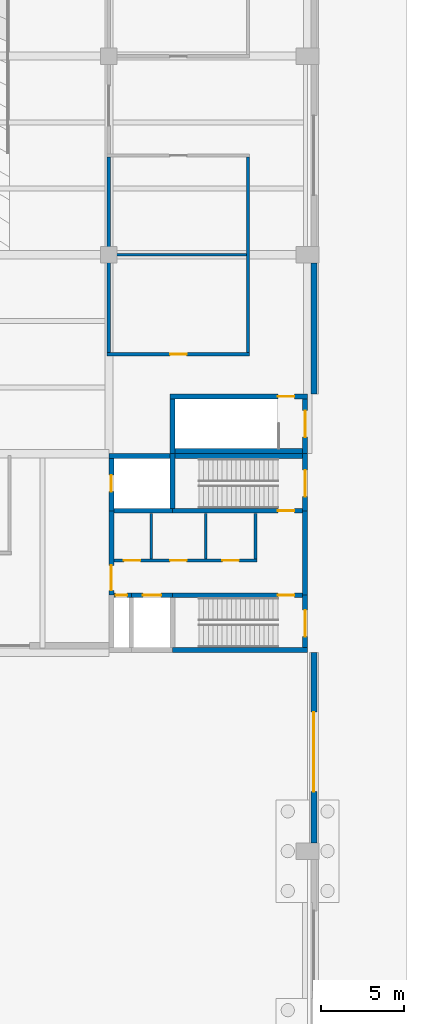
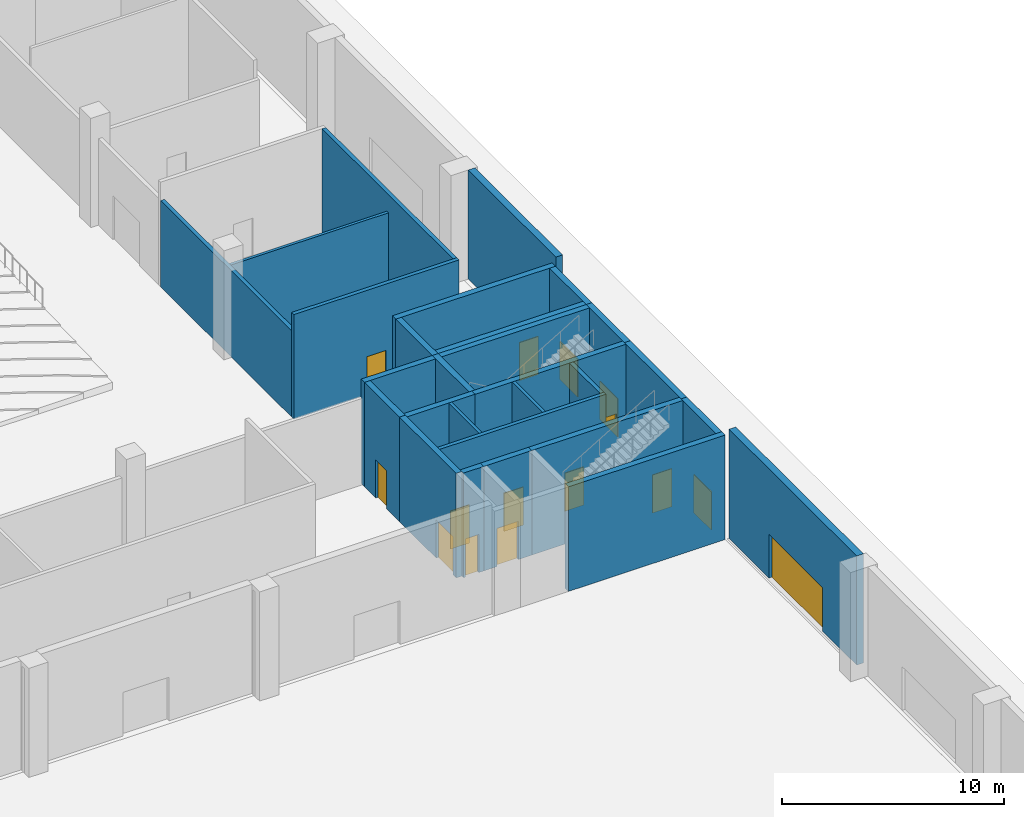
# One storey, part 39 of 59: 28 walls, 15 doors, 15 openings.
"""IFC4 building model written with IfcOpenShell, lengths in metres."""

import ifcopenshell
import ifcopenshell.guid

model = None  # the IFC model being written
_history = None  # IfcOwnerHistory: only IFC2X3 demands one
_inside = {}  # id of a spatial element -> (the spatial element, [elements in it])
_under = {}  # id of a project, library or spatial element -> (it, [spatial elements below it])
_declared = {}  # id of a project -> (the project, [libraries it declares])
_typed = {}  # id of a type object -> (the type object, [elements of that type])
_made_of = {}  # id of a material, layer set ... -> (it, [elements and type objects made of it])


def new_model(schema):
    """Start an empty IFC model of exactly this schema.

    Asked for "IFC4X3", IfcOpenShell would pick the latest addendum, in which some entities
    have other attributes; the version numbers below select the first issue.
    IFC2X3 requires an IfcOwnerHistory on every rooted entity: one is made here for all.
    """
    global model, _history
    if schema == "IFC4X3":
        model = ifcopenshell.file(schema_version=(4, 3, 0, 0))
    else:
        model = ifcopenshell.file(schema=schema)
    _inside.clear()
    _under.clear()
    _declared.clear()
    _typed.clear()
    _made_of.clear()
    _history = None
    if model.schema == "IFC2X3":
        org = make("IfcOrganization", Name="unknown")
        user = make(
            "IfcPersonAndOrganization",
            ThePerson=make("IfcPerson", FamilyName="unknown"),
            TheOrganization=org,
        )
        app = make(
            "IfcApplication",
            ApplicationDeveloper=org,
            Version="unknown",
            ApplicationFullName="unknown",
            ApplicationIdentifier="unknown",
        )
        _history = make(
            "IfcOwnerHistory",
            OwningUser=user,
            OwningApplication=app,
            ChangeAction="ADDED",
            CreationDate=0,
        )
    return model


def make(cls, **values):
    """One entity of the class cls with the attributes given. An attribute that is None is left unset."""
    return model.create_entity(
        cls, **{name: value for name, value in values.items() if value is not None}
    )


def rooted(cls, **values):
    """An entity with a GlobalId (a new one), such as an element, a storey or a relation."""
    return make(cls, GlobalId=ifcopenshell.guid.new(), OwnerHistory=_history, **values)


def si_unit(unit_type, name, prefix=None):
    """IfcSIUnit, for example si_unit("LENGTHUNIT", "METRE", prefix="MILLI")."""
    return make("IfcSIUnit", UnitType=unit_type, Prefix=prefix, Name=name)


def assignment(units):
    """IfcUnitAssignment: the units of a project."""
    return None if units is None else make("IfcUnitAssignment", Units=units)


def point(xyz):
    """IfcCartesianPoint."""
    return None if xyz is None else make("IfcCartesianPoint", Coordinates=xyz)


def direction(xyz):
    """IfcDirection."""
    return None if xyz is None else make("IfcDirection", DirectionRatios=xyz)


def frame(location, z_axis=None, x_axis=None):
    """IfcAxis2Placement3D, a coordinate frame: its origin and axes. An axis left out is left unset."""
    return make(
        "IfcAxis2Placement3D",
        Location=point(location),
        Axis=direction(z_axis),
        RefDirection=direction(x_axis),
    )


def frame_2d(location, x_axis=None):
    """IfcAxis2Placement2D, a coordinate frame in the plane: its origin and x axis."""
    return make(
        "IfcAxis2Placement2D", Location=point(location), RefDirection=direction(x_axis)
    )


def origin():
    """The frame at (0, 0, 0) with its axes left unset."""
    return frame((0.0, 0.0, 0.0))


def place(relative_to, where):
    """IfcLocalPlacement: puts the frame where relative to a parent placement (None: the world)."""
    return make(
        "IfcLocalPlacement", PlacementRelTo=relative_to, RelativePlacement=where
    )


def context(
    kind, dimensions, precision=None, world=None, true_north=None, identifier=None
):
    """IfcGeometricRepresentationContext, for example the 3D "Model" context."""
    return make(
        "IfcGeometricRepresentationContext",
        ContextIdentifier=identifier,
        ContextType=kind,
        CoordinateSpaceDimension=dimensions,
        Precision=precision,
        WorldCoordinateSystem=world,
        TrueNorth=true_north,
    )


def subcontext(parent, identifier, kind, view, scale=None):
    """IfcGeometricRepresentationSubContext, for example "Body" below "Model"."""
    return make(
        "IfcGeometricRepresentationSubContext",
        ContextIdentifier=identifier,
        ContextType=kind,
        ParentContext=parent,
        TargetScale=scale,
        TargetView=view,
    )


def project(units=None, contexts=None):
    """IfcProject with its units and contexts."""
    return rooted(
        "IfcProject",
        Name="project",
        RepresentationContexts=contexts,
        UnitsInContext=assignment(units),
    )


def spatial(cls, under=None, at=None, **own):
    """A site, building, storey or space (cls), placed at a placement, below another one or the project."""
    s = rooted(cls, ObjectPlacement=at, **own)
    if under is not None:
        _under.setdefault(under.id(), (under, []))[1].append(s)
    return s


def profile(cls, at=None, kind="AREA", **sizes):
    """A parametric profile (cls). Its sizes go by their IFC names, for example OverallWidth=200.0."""
    return make(cls, ProfileType=kind, Position=at, **sizes)


def rectangle(**sizes):
    """IfcRectangleProfileDef."""
    return profile("IfcRectangleProfileDef", **sizes)


def extrude(swept, where, along, depth):
    """IfcExtrudedAreaSolid: the profile swept, set in the frame where, extruded along a direction by depth."""
    return make(
        "IfcExtrudedAreaSolid",
        SweptArea=swept,
        Position=where,
        ExtrudedDirection=direction(along),
        Depth=depth,
    )


def shape(context_of_items, identifier, shape_type, items):
    """IfcShapeRepresentation: the items that make up one representation, for example the "Body"."""
    return make(
        "IfcShapeRepresentation",
        ContextOfItems=context_of_items,
        RepresentationIdentifier=identifier,
        RepresentationType=shape_type,
        Items=items,
    )


def material(Name=None, Category=None):
    """IfcMaterial."""
    return make("IfcMaterial", Name=Name, Category=Category)


def layer(
    of_material, thickness, ventilated=None, Name=None, Category=None, Priority=None
):
    """IfcMaterialLayer: one layer of a wall or slab, of a material (None: an air gap)."""
    return make(
        "IfcMaterialLayer",
        Material=of_material,
        LayerThickness=thickness,
        IsVentilated=ventilated,
        Name=Name,
        Category=Category,
        Priority=Priority,
    )


def layer_set(layers, Name=None):
    """IfcMaterialLayerSet."""
    return make("IfcMaterialLayerSet", MaterialLayers=layers, LayerSetName=Name)


def made_of(thing, what):
    """Note that an element or type object is made of a material, layer set ...; save() writes the relation."""
    if what is not None:
        _made_of.setdefault(what.id(), (what, []))[1].append(thing)
    return thing


def type_object(cls, material=None, **own):
    """A type object (cls), such as IfcWallType, which elements share."""
    return made_of(rooted(cls, **own), material)


def element(
    cls,
    number,
    at=None,
    inside=None,
    cuts=None,
    type_object=None,
    material=None,
    context=None,
    identifier="Body",
    shape_type=None,
    held_by="IfcProductDefinitionShape",
    body=None,
    shapes=None,
    **own,
):
    """One element of the class cls, such as IfcWall. Its Tag is "e" and its number.

    at: its placement. inside: the storey or other place that contains it. cuts: it is an
    opening in that element (IfcRelVoidsElement). A single representation is given by context,
    identifier, shape_type and body (its items); several are given by shapes. held_by: the class
    of the entity that holds the representations. save() writes the other relations.
    """
    e = rooted(cls, Tag="e%d" % number, ObjectPlacement=at, **own)
    if body is not None:
        shapes = [shape(context, identifier, shape_type, body)]
    if shapes is not None:
        e.Representation = make(held_by, Representations=shapes)
    if inside is not None:
        _inside.setdefault(inside.id(), (inside, []))[1].append(e)
    if cuts is not None:
        rooted(
            "IfcRelVoidsElement", RelatingBuildingElement=cuts, RelatedOpeningElement=e
        )
    if type_object is not None:
        _typed.setdefault(type_object.id(), (type_object, []))[1].append(e)
    return made_of(e, material)


def fill(opening, filler):
    """IfcRelFillsElement: the door or window that sits in an opening."""
    return rooted(
        "IfcRelFillsElement",
        RelatingOpeningElement=opening,
        RelatedBuildingElement=filler,
    )


def aggregate(whole, parts):
    """IfcRelAggregates: a whole, such as a stair, and the parts it consists of."""
    return rooted("IfcRelAggregates", RelatingObject=whole, RelatedObjects=parts)


def save(model, path):
    """Write the relations noted so far, then the file.

    IfcRelAggregates (storeys below a building ...), IfcRelContainedInSpatialStructure (elements
    in a storey), IfcRelDefinesByType, IfcRelAssociatesMaterial and IfcRelDeclares: one each for
    every whole, place, type object, material and project.
    """
    for whole, parts in _under.values():
        aggregate(whole, parts)
    for where, things in _inside.values():
        rooted(
            "IfcRelContainedInSpatialStructure",
            RelatedElements=things,
            RelatingStructure=where,
        )
    for kind, things in _typed.values():
        rooted("IfcRelDefinesByType", RelatedObjects=things, RelatingType=kind)
    for what, things in _made_of.values():
        rooted("IfcRelAssociatesMaterial", RelatedObjects=things, RelatingMaterial=what)
    for by, libraries in _declared.values():
        rooted("IfcRelDeclares", RelatingContext=by, RelatedDefinitions=libraries)
    model.write(path)


model = new_model("IFC4")

# Units and contexts
model_context = context("Model", 3, precision=1e-05, world=origin(), true_north=direction((0.0, 1.0)))
body_context = subcontext(model_context, "Body", "Model", "MODEL_VIEW")
ifc_project = project(units=[si_unit("LENGTHUNIT", "METRE"), si_unit("AREAUNIT", "SQUARE_METRE"), si_unit("VOLUMEUNIT", "CUBIC_METRE"), si_unit("PLANEANGLEUNIT", "RADIAN"), si_unit("MASSUNIT", "GRAM", prefix="KILO")], contexts=[model_context])

# Site, building, storey
site_placement = place(None, origin())
site = spatial("IfcSite", under=ifc_project, at=site_placement, CompositionType="ELEMENT")
building_placement = place(site_placement, origin())
building = spatial("IfcBuilding", under=site, at=building_placement, Name="Lilac Gate Convention Centre", CompositionType="ELEMENT")
storey_placement = place(building_placement, origin())
storey = spatial("IfcBuildingStorey", under=building, at=storey_placement, Name="L00", CompositionType="ELEMENT", Elevation=0.0)

# Walls
ifc_material_1 = material(Name="Fire-rated gypsum board on steel stud", Category="steel")
ifc_layer_1 = layer(ifc_material_1, 0.14990234375)
ifc_layer_set_1 = layer_set([ifc_layer_1], Name="Fire-rated gypsum board on steel stud")
wall_type_1 = type_object("IfcWallType", Name="Partition 150 fire-rated gypsum board EI 60", PredefinedType="PARTITIONING", material=ifc_layer_set_1)
wall_1_placement = place(storey_placement, frame((78.10009765625, 126.0, 0.0), z_axis=(0.0, 0.0, 1.0), x_axis=(1.0, 0.0, 0.0)))
element("IfcWall", 1, at=wall_1_placement, inside=storey, type_object=wall_type_1, Name="Partition 150 fire-rated gypsum board EI 60", PredefinedType="PARTITIONING", context=body_context, shape_type="SweptSolid", body=[
    extrude(rectangle(XDim=8.199951171875, YDim=0.14990234375, at=frame_2d((4.10009765625, 0.0))), origin(), (0.0, 0.0, 1.0), 4.75),
])
for number, where, z_axis, x_axis, name in (
    (2, (80.550048828125, 107.64990234375, 0.0), (0.0, 0.0, 1.0), (0.0, 1.0, 0.0), "Partition 150 fire-rated gypsum board EI 60"),
    (3, (83.85009765625, 107.64990234375, 0.0), (0.0, 0.0, 1.0), (0.0, 1.0, 0.0), "Partition 150 fire-rated gypsum board EI 60"),
):
    element("IfcWall", number, at=place(storey_placement, frame(where, z_axis=z_axis, x_axis=x_axis)), inside=storey, type_object=wall_type_1, Name=name, PredefinedType="PARTITIONING", context=body_context, shape_type="SweptSolid", body=[
        extrude(rectangle(XDim=2.75, YDim=0.14990234375, at=frame_2d((1.375, 0.0))), origin(), (0.0, 0.0, 1.0), 5.75),
    ])
ifc_material_2 = material(Name="Clay brick masonry", Category="masonry")
ifc_layer_2 = layer(ifc_material_2, 0.199951171875)
ifc_layer_set_2 = layer_set([ifc_layer_2], Name="Clay brick masonry")
wall_type_2 = type_object("IfcWallType", Name="Partition 200 brick EI 120", PredefinedType="PARTITIONING", material=ifc_layer_set_2)
wall_2_placement = place(storey_placement, frame((78.0, 120.10009765625, 0.0), z_axis=(0.0, 0.0, 1.0), x_axis=(0.0, 1.0, 0.0)))
element("IfcWall", 4, at=wall_2_placement, inside=storey, type_object=wall_type_2, Name="Partition 200 brick EI 120", PredefinedType="PARTITIONING", context=body_context, shape_type="SweptSolid", body=[
    extrude(rectangle(XDim=11.7998046875, YDim=0.199951171875, at=frame_2d((5.89990234375, 0.0))), origin(), (0.0, 0.0, 1.0), 4.75),
])

# Wall, openings, doors
ifc_layer_3 = layer(ifc_material_2, 0.199951171875)
ifc_layer_set_3 = layer_set([ifc_layer_3], Name="Clay brick masonry")
wall_type_3 = type_object("IfcWallType", Name="Partition 200 brick EI 60", PredefinedType="PARTITIONING", material=ifc_layer_set_3)
wall_3_placement = place(storey_placement, frame((78.300048828125, 107.550048828125, 0.0), z_axis=(0.0, 0.0, 1.0), x_axis=(1.0, 0.0, 0.0)))
wall_3 = element("IfcWall", 5, at=wall_3_placement, inside=storey, type_object=wall_type_3, Name="Partition 200 brick EI 60", PredefinedType="PARTITIONING", context=body_context, shape_type="SweptSolid", body=[
    extrude(rectangle(XDim=8.64990234375, YDim=0.199951171875, at=frame_2d((4.324951171875, 0.0))), origin(), (0.0, 0.0, 1.0), 5.75),
])
opening_1_placement = place(wall_3_placement, frame((0.60009765625, 0.0, 0.0)))
opening_1 = element("IfcOpeningElement", 6, at=opening_1_placement, cuts=wall_3, Name="Opening L00-048", PredefinedType="OPENING", context=body_context, shape_type="SweptSolid", body=[
    extrude(rectangle(XDim=1.0, YDim=2.10009765625, at=frame_2d((0.5, 1.050048828125))), frame((0.0, 0.10986328125, 0.0), z_axis=(0.0, -1.0, 0.0), x_axis=(1.0, 0.0, 0.0)), (0.0, 0.0, 1.0), 0.219970703125),
])
opening_2_placement = place(wall_3_placement, frame((3.39990234375, 0.0, 0.0)))
opening_2 = element("IfcOpeningElement", 7, at=opening_2_placement, cuts=wall_3, Name="Opening L00-049", PredefinedType="OPENING", context=body_context, shape_type="SweptSolid", body=[
    extrude(rectangle(XDim=1.0, YDim=2.10009765625, at=frame_2d((0.5, 1.050048828125))), frame((0.0, 0.10986328125, 0.0), z_axis=(0.0, -1.0, 0.0), x_axis=(1.0, 0.0, 0.0)), (0.0, 0.0, 1.0), 0.219970703125),
])
opening_3_placement = place(wall_3_placement, frame((6.550048828125, 0.0, 0.0)))
opening_3 = element("IfcOpeningElement", 8, at=opening_3_placement, cuts=wall_3, Name="Opening L00-050", PredefinedType="OPENING", context=body_context, shape_type="SweptSolid", body=[
    extrude(rectangle(XDim=1.0, YDim=2.10009765625, at=frame_2d((0.5, 1.050048828125))), frame((0.0, 0.10986328125, 0.0), z_axis=(0.0, -1.0, 0.0), x_axis=(1.0, 0.0, 0.0)), (0.0, 0.0, 1.0), 0.219970703125),
])
ifc_material_3 = material(Name="Timber fire door leaf", Category="wood")
door_type_1 = type_object("IfcDoorType", Name="Door 1000 x 2100 single leaf FD30", OperationType="SINGLE_SWING_LEFT", PredefinedType="DOOR", material=ifc_material_3)
door_1_placement = place(opening_1_placement, origin())
door_1 = element("IfcDoor", 9, at=door_1_placement, inside=storey, type_object=door_type_1, Name="Accessible WC door L00-048", OperationType="SINGLE_SWING_RIGHT", OverallHeight=2.10009765625, OverallWidth=1.0, PredefinedType="DOOR", context=body_context, shape_type="SweptSolid", body=[
    extrude(rectangle(XDim=1.0, YDim=2.10009765625, at=frame_2d((0.5, 1.050048828125))), frame((0.0, 0.02490234375, 0.0), z_axis=(0.0, -1.0, 0.0), x_axis=(1.0, 0.0, 0.0)), (0.0, 0.0, 1.0), 0.050048828125),
])
fill(opening_1, door_1)
door_2_placement = place(opening_2_placement, origin())
door_2 = element("IfcDoor", 10, at=door_2_placement, inside=storey, type_object=door_type_1, Name="WC door L00-049", OperationType="SINGLE_SWING_LEFT", OverallHeight=2.10009765625, OverallWidth=1.0, PredefinedType="DOOR", context=body_context, shape_type="SweptSolid", body=[
    extrude(rectangle(XDim=1.0, YDim=2.10009765625, at=frame_2d((0.5, 1.050048828125))), frame((0.0, 0.02490234375, 0.0), z_axis=(0.0, -1.0, 0.0), x_axis=(1.0, 0.0, 0.0)), (0.0, 0.0, 1.0), 0.050048828125),
])
fill(opening_2, door_2)
door_3_placement = place(opening_3_placement, origin())
door_3 = element("IfcDoor", 11, at=door_3_placement, inside=storey, type_object=door_type_1, Name="WC door L00-050", OperationType="SINGLE_SWING_RIGHT", OverallHeight=2.10009765625, OverallWidth=1.0, PredefinedType="DOOR", context=body_context, shape_type="SweptSolid", body=[
    extrude(rectangle(XDim=1.0, YDim=2.10009765625, at=frame_2d((0.5, 1.050048828125))), frame((0.0, 0.02490234375, 0.0), z_axis=(0.0, -1.0, 0.0), x_axis=(1.0, 0.0, 0.0)), (0.0, 0.0, 1.0), 0.050048828125),
])
fill(opening_3, door_3)

# Wall, opening, door
wall_4_placement = place(storey_placement, frame((77.89990234375, 120.0, 0.0), z_axis=(0.0, 0.0, 1.0), x_axis=(1.0, 0.0, 0.0)))
wall_4 = element("IfcWall", 12, at=wall_4_placement, inside=storey, type_object=wall_type_3, Name="Partition 200 brick EI 60", PredefinedType="PARTITIONING", context=body_context, shape_type="SweptSolid", body=[
    extrude(rectangle(XDim=8.60009765625, YDim=0.199951171875, at=frame_2d((4.300048828125, 0.0))), origin(), (0.0, 0.0, 1.0), 5.75),
])
opening_4_placement = place(wall_4_placement, frame((3.800048828125, 0.0, 0.0)))
opening_4 = element("IfcOpeningElement", 13, at=opening_4_placement, cuts=wall_4, Name="Opening L00-062", PredefinedType="OPENING", context=body_context, shape_type="SweptSolid", body=[
    extrude(rectangle(XDim=1.0, YDim=2.10009765625, at=frame_2d((0.5, 1.050048828125))), frame((0.0, 0.10986328125, 0.0), z_axis=(0.0, -1.0, 0.0), x_axis=(1.0, 0.0, 0.0)), (0.0, 0.0, 1.0), 0.219970703125),
])
door_4_placement = place(opening_4_placement, origin())
door_4 = element("IfcDoor", 14, at=door_4_placement, inside=storey, type_object=door_type_1, Name="Dressing room door L00-062", OperationType="SINGLE_SWING_LEFT", OverallHeight=2.10009765625, OverallWidth=1.0, PredefinedType="DOOR", context=body_context, shape_type="SweptSolid", body=[
    extrude(rectangle(XDim=1.0, YDim=2.10009765625, at=frame_2d((0.5, 1.050048828125))), frame((0.0, 0.02490234375, 0.0), z_axis=(0.0, -1.0, 0.0), x_axis=(1.0, 0.0, 0.0)), (0.0, 0.0, 1.0), 0.050048828125),
])
fill(opening_4, door_4)

# Walls
wall_5_placement = place(storey_placement, frame((86.39990234375, 120.10009765625, 0.0), z_axis=(0.0, 0.0, 1.0), x_axis=(0.0, 1.0, 0.0)))
element("IfcWall", 15, at=wall_5_placement, inside=storey, type_object=wall_type_3, Name="Partition 200 brick EI 60", PredefinedType="PARTITIONING", context=body_context, shape_type="SweptSolid", body=[
    extrude(rectangle(XDim=11.7998046875, YDim=0.199951171875, at=frame_2d((5.89990234375, 0.0))), origin(), (0.0, 0.0, 1.0), 5.75),
])
wall_6_placement = place(storey_placement, frame((86.85009765625, 107.64990234375, 0.0), z_axis=(0.0, 0.0, 1.0), x_axis=(0.0, 1.0, 0.0)))
element("IfcWall", 16, at=wall_6_placement, inside=storey, type_object=wall_type_3, Name="Partition 200 brick EI 60", PredefinedType="PARTITIONING", context=body_context, shape_type="SweptSolid", body=[
    extrude(rectangle(XDim=2.75, YDim=0.199951171875, at=frame_2d((1.375, 0.0))), origin(), (0.0, 0.0, 1.0), 5.75),
])

# Wall, opening, door
ifc_material_4 = material(Name="Ochre mineral render")
ifc_layer_4 = layer(ifc_material_4, 0.02001953125)
ifc_material_5 = material(Name="Concrete C40 precast", Category="concrete")
ifc_layer_5 = layer(ifc_material_5, 0.06005859375)
ifc_material_6 = material(Name="Ventilated air cavity")
ifc_layer_6 = layer(ifc_material_6, 0.030029296875)
ifc_material_7 = material(Name="Mineral wool insulation")
ifc_layer_7 = layer(ifc_material_7, 0.169921875)
ifc_material_8 = material(Name="Steel stud Q345 and gypsum lining", Category="steel")
ifc_layer_8 = layer(ifc_material_8, 0.070068359375)
ifc_layer_set_4 = layer_set([ifc_layer_4, ifc_layer_5, ifc_layer_6, ifc_layer_7, ifc_layer_8], Name="Ochre mineral render, Concrete C40 precast, Ventilated air cavity, Mineral wool insulation, Steel stud Q345 and gypsum lining")
wall_type_4 = type_object("IfcWallType", Name="Podium precast wall 350", PredefinedType="STANDARD", material=ifc_layer_set_4)
wall_7_placement = place(storey_placement, frame((90.375, 90.5, 0.0), z_axis=(0.0, 0.0, 1.0), x_axis=(0.0, 1.0, 0.0)))
wall_7 = element("IfcWall", 17, at=wall_7_placement, inside=storey, type_object=wall_type_4, Name="External wall hall east HE L00 6", PredefinedType="STANDARD", context=body_context, shape_type="SweptSolid", body=[
    extrude(rectangle(XDim=11.5, YDim=0.35009765625, at=frame_2d((5.75, 0.0))), origin(), (0.0, 0.0, 1.0), 6.0),
])
opening_5_placement = place(wall_7_placement, frame((3.10009765625, 0.0, 0.0)))
opening_5 = element("IfcOpeningElement", 18, at=opening_5_placement, cuts=wall_7, Name="Opening ED-027", PredefinedType="OPENING", context=body_context, shape_type="SweptSolid", body=[
    extrude(rectangle(XDim=4.800048828125, YDim=2.39990234375, at=frame_2d((2.39990234375, 1.199951171875))), frame((0.0, 0.18505859375, 0.0), z_axis=(0.0, -1.0, 0.0), x_axis=(1.0, 0.0, 0.0)), (0.0, 0.0, 1.0), 0.3701171875),
])
ifc_material_9 = material(Name="Steel Q235B", Category="steel")
door_type_2 = type_object("IfcDoorType", Name="Exit door set 4800 x 2400", OperationType="DOUBLE_DOOR_SINGLE_SWING", PredefinedType="DOOR", material=ifc_material_9)
door_5_placement = place(opening_5_placement, frame((4.800048828125, 0.0, 0.0), z_axis=(0.0, 0.0, 1.0), x_axis=(-1.0, 0.0, 0.0)))
door_5 = element("IfcDoor", 19, at=door_5_placement, inside=storey, type_object=door_type_2, Name="Pedestrian exit doors G16", OperationType="DOUBLE_DOOR_SINGLE_SWING", OverallHeight=2.39990234375, OverallWidth=4.800048828125, PredefinedType="DOOR", context=body_context, shape_type="SweptSolid", body=[
    extrude(rectangle(XDim=4.800048828125, YDim=2.39990234375, at=frame_2d((2.39990234375, 1.199951171875))), frame((0.0, 0.02490234375, 0.0), z_axis=(0.0, -1.0, 0.0), x_axis=(1.0, 0.0, 0.0)), (0.0, 0.0, 1.0), 0.050048828125),
])
fill(opening_5, door_5)

# Walls
wall_8_placement = place(storey_placement, frame((90.375, 117.60009765625, 0.0), z_axis=(0.0, 0.0, 1.0), x_axis=(0.0, 1.0, 0.0)))
element("IfcWall", 20, at=wall_8_placement, inside=storey, type_object=wall_type_4, Name="External wall hall east HE L00 7", PredefinedType="STANDARD", context=body_context, shape_type="SweptSolid", body=[
    extrude(rectangle(XDim=7.89990234375, YDim=0.35009765625, at=frame_2d((3.949951171875, 0.0))), origin(), (0.0, 0.0, 1.0), 6.0),
])
ifc_material_10 = material(Name="Concrete C40", Category="concrete")
ifc_layer_9 = layer(ifc_material_10, 0.300048828125)
ifc_layer_set_5 = layer_set([ifc_layer_9], Name="Concrete C40")
wall_type_5 = type_object("IfcWallType", Name="Shear wall 300 C40", PredefinedType="SHEAR", material=ifc_layer_set_5)
wall_9_placement = place(storey_placement, frame((90.0, 114.14990234375, 0.0), z_axis=(0.0, 0.0, 1.0), x_axis=(-1.0, 0.0, 0.0)))
element("IfcWall", 21, at=wall_9_placement, inside=storey, type_object=wall_type_5, Name="SW1 shear wall BE1 L00 1", PredefinedType="SHEAR", context=body_context, shape_type="SweptSolid", body=[
    extrude(rectangle(XDim=8.300048828125, YDim=0.300048828125, at=frame_2d((4.14990234375, 0.0))), origin(), (0.0, 0.0, 1.0), 5.75),
])

# Wall, opening, door
wall_10_placement = place(storey_placement, frame((90.0, 117.449951171875, 0.0), z_axis=(0.0, 0.0, 1.0), x_axis=(-1.0, 0.0, 0.0)))
wall_10 = element("IfcWall", 22, at=wall_10_placement, inside=storey, type_object=wall_type_5, Name="SW1 shear wall BE1 L00 2", PredefinedType="SHEAR", context=body_context, shape_type="SweptSolid", body=[
    extrude(rectangle(XDim=8.300048828125, YDim=0.300048828125, at=frame_2d((4.14990234375, 0.0))), origin(), (0.0, 0.0, 1.0), 5.75),
])
opening_6_placement = place(wall_10_placement, frame((0.800048828125, 0.0, 0.0)))
opening_6 = element("IfcOpeningElement", 23, at=opening_6_placement, cuts=wall_10, Name="Opening L00-059", PredefinedType="OPENING", context=body_context, shape_type="SweptSolid", body=[
    extrude(rectangle(XDim=1.0, YDim=2.10009765625, at=frame_2d((0.5, 1.050048828125))), frame((0.0, 0.159912109375, 0.0), z_axis=(0.0, -1.0, 0.0), x_axis=(1.0, 0.0, 0.0)), (0.0, 0.0, 1.0), 0.320068359375),
])
door_type_3 = type_object("IfcDoorType", Name="Door 1000 x 2100 single leaf FD60", OperationType="SINGLE_SWING_LEFT", PredefinedType="DOOR", material=ifc_material_3)
door_6_placement = place(opening_6_placement, origin())
door_6 = element("IfcDoor", 24, at=door_6_placement, inside=storey, type_object=door_type_3, Name="Stair door L00-059", OperationType="SINGLE_SWING_RIGHT", OverallHeight=2.10009765625, OverallWidth=1.0, PredefinedType="DOOR", context=body_context, shape_type="SweptSolid", body=[
    extrude(rectangle(XDim=1.0, YDim=2.10009765625, at=frame_2d((0.5, 1.050048828125))), frame((0.0, 0.02490234375, 0.0), z_axis=(0.0, -1.0, 0.0), x_axis=(1.0, 0.0, 0.0)), (0.0, 0.0, 1.0), 0.050048828125),
])
fill(opening_6, door_6)

wall_11_placement = place(storey_placement, frame((89.85009765625, 114.0, 0.0), z_axis=(0.0, 0.0, 1.0), x_axis=(0.0, 1.0, 0.0)))
wall_11 = element("IfcWall", 25, at=wall_11_placement, inside=storey, type_object=wall_type_5, Name="SW1 shear wall BE1 L00 3", PredefinedType="SHEAR", context=body_context, shape_type="SweptSolid", body=[
    extrude(rectangle(XDim=3.300048828125, YDim=0.300048828125, at=frame_2d((1.64990234375, 0.0))), origin(), (0.0, 0.0, 1.0), 5.75),
])
opening_7_placement = place(wall_11_placement, frame((1.0, 0.0, 0.0)))
opening_7 = element("IfcOpeningElement", 26, at=opening_7_placement, cuts=wall_11, Name="Opening L00-058", PredefinedType="OPENING", context=body_context, shape_type="SweptSolid", body=[
    extrude(rectangle(XDim=1.60009765625, YDim=2.10009765625, at=frame_2d((0.800048828125, 1.050048828125))), frame((0.0, 0.159912109375, 0.0), z_axis=(0.0, -1.0, 0.0), x_axis=(1.0, 0.0, 0.0)), (0.0, 0.0, 1.0), 0.320068359375),
])
door_type_4 = type_object("IfcDoorType", Name="Door 1600 x 2100 double leaf FD60", OperationType="DOUBLE_DOOR_SINGLE_SWING", PredefinedType="DOOR", material=ifc_material_3)
door_7_placement = place(opening_7_placement, frame((1.60009765625, 0.0, 0.0), z_axis=(0.0, 0.0, 1.0), x_axis=(-1.0, 0.0, 0.0)))
door_7 = element("IfcDoor", 27, at=door_7_placement, inside=storey, type_object=door_type_4, Name="Stair exit door L00-058", OperationType="DOUBLE_DOOR_SINGLE_SWING", OverallHeight=2.10009765625, OverallWidth=1.60009765625, PredefinedType="DOOR", context=body_context, shape_type="SweptSolid", body=[
    extrude(rectangle(XDim=1.60009765625, YDim=2.10009765625, at=frame_2d((0.800048828125, 1.050048828125))), frame((0.0, 0.02490234375, 0.0), z_axis=(0.0, -1.0, 0.0), x_axis=(1.0, 0.0, 0.0)), (0.0, 0.0, 1.0), 0.050048828125),
])
fill(opening_7, door_7)

# Walls
wall_12_placement = place(storey_placement, frame((81.85009765625, 114.0, 0.0), z_axis=(0.0, 0.0, 1.0), x_axis=(0.0, 1.0, 0.0)))
element("IfcWall", 28, at=wall_12_placement, inside=storey, type_object=wall_type_5, Name="SW1 shear wall BE1 L00 4", PredefinedType="SHEAR", context=body_context, shape_type="SweptSolid", body=[
    extrude(rectangle(XDim=3.300048828125, YDim=0.300048828125, at=frame_2d((1.64990234375, 0.0))), origin(), (0.0, 0.0, 1.0), 5.75),
])
for number, where, z_axis, x_axis, name in (
    (29, (90.0, 102.14990234375, 0.0), (0.0, 0.0, 1.0), (-1.0, 0.0, 0.0), "SW1 shear wall E1 L00 1"),
    (30, (90.0, 113.85009765625, 0.0), (0.0, 0.0, 1.0), (-1.0, 0.0, 0.0), "SW1 shear wall E1 L00 4"),
):
    element("IfcWall", number, at=place(storey_placement, frame(where, z_axis=z_axis, x_axis=x_axis)), inside=storey, type_object=wall_type_5, Name=name, PredefinedType="SHEAR", context=body_context, shape_type="SweptSolid", body=[
        extrude(rectangle(XDim=8.14990234375, YDim=0.300048828125, at=frame_2d((4.074951171875, 0.0))), origin(), (0.0, 0.0, 1.0), 5.75),
    ])
wall_13_placement = place(storey_placement, frame((81.85009765625, 113.85009765625, 0.0), z_axis=(0.0, 0.0, 1.0), x_axis=(-1.0, 0.0, 0.0)))
element("IfcWall", 31, at=wall_13_placement, inside=storey, type_object=wall_type_5, Name="SW1 shear wall E1 L00 5", PredefinedType="SHEAR", context=body_context, shape_type="SweptSolid", body=[
    extrude(rectangle(XDim=3.85009765625, YDim=0.300048828125, at=frame_2d((1.925048828125, 0.0))), origin(), (0.0, 0.0, 1.0), 5.75),
])

# Wall, opening, door
wall_14_placement = place(storey_placement, frame((89.699951171875, 105.449951171875, 0.0), z_axis=(0.0, 0.0, 1.0), x_axis=(-1.0, 0.0, 0.0)))
wall_14 = element("IfcWall", 32, at=wall_14_placement, inside=storey, type_object=wall_type_5, Name="SW1 shear wall E1 L00 6", PredefinedType="SHEAR", context=body_context, shape_type="SweptSolid", body=[
    extrude(rectangle(XDim=7.849853515625, YDim=0.300048828125, at=frame_2d((3.9248046875, 0.0))), origin(), (0.0, 0.0, 1.0), 5.75),
])
opening_8_placement = place(wall_14_placement, frame((0.5, 0.0, 0.0)))
opening_8 = element("IfcOpeningElement", 33, at=opening_8_placement, cuts=wall_14, Name="Opening L00-046", PredefinedType="OPENING", context=body_context, shape_type="SweptSolid", body=[
    extrude(rectangle(XDim=1.0, YDim=2.10009765625, at=frame_2d((0.5, 1.050048828125))), frame((0.0, 0.159912109375, 0.0), z_axis=(0.0, -1.0, 0.0), x_axis=(1.0, 0.0, 0.0)), (0.0, 0.0, 1.0), 0.320068359375),
])
door_8_placement = place(opening_8_placement, origin())
door_8 = element("IfcDoor", 34, at=door_8_placement, inside=storey, type_object=door_type_3, Name="Stair door L00-046", OperationType="SINGLE_SWING_RIGHT", OverallHeight=2.10009765625, OverallWidth=1.0, PredefinedType="DOOR", context=body_context, shape_type="SweptSolid", body=[
    extrude(rectangle(XDim=1.0, YDim=2.10009765625, at=frame_2d((0.5, 1.050048828125))), frame((0.0, 0.02490234375, 0.0), z_axis=(0.0, -1.0, 0.0), x_axis=(1.0, 0.0, 0.0)), (0.0, 0.0, 1.0), 0.050048828125),
])
fill(opening_8, door_8)

wall_15_placement = place(storey_placement, frame((81.85009765625, 105.449951171875, 0.0), z_axis=(0.0, 0.0, 1.0), x_axis=(-1.0, 0.0, 0.0)))
wall_15 = element("IfcWall", 35, at=wall_15_placement, inside=storey, type_object=wall_type_5, Name="SW1 shear wall E1 L00 7", PredefinedType="SHEAR", context=body_context, shape_type="SweptSolid", body=[
    extrude(rectangle(XDim=2.5, YDim=0.300048828125, at=frame_2d((1.25, 0.0))), origin(), (0.0, 0.0, 1.0), 5.75),
])
opening_9_placement = place(wall_15_placement, frame((0.699951171875, 0.0, 0.0)))
opening_9 = element("IfcOpeningElement", 36, at=opening_9_placement, cuts=wall_15, Name="Opening LDE1-00", PredefinedType="OPENING", context=body_context, shape_type="SweptSolid", body=[
    extrude(rectangle(XDim=1.10009765625, YDim=2.10009765625, at=frame_2d((0.550048828125, 1.050048828125))), frame((0.0, 0.159912109375, 0.0), z_axis=(0.0, -1.0, 0.0), x_axis=(1.0, 0.0, 0.0)), (0.0, 0.0, 1.0), 0.320068359375),
])
ifc_material_11 = material(Name="Stainless steel 304", Category="steel")
door_type_5 = type_object("IfcDoorType", Name="Lift landing door 1100 x 2100", OperationType="SLIDING_TO_LEFT", PredefinedType="DOOR", material=ifc_material_11)
door_9_placement = place(opening_9_placement, origin())
door_9 = element("IfcDoor", 37, at=door_9_placement, inside=storey, type_object=door_type_5, Name="Lift landing door LDE1-00", OperationType="SLIDING_TO_LEFT", OverallHeight=2.10009765625, OverallWidth=1.10009765625, PredefinedType="DOOR", context=body_context, shape_type="SweptSolid", body=[
    extrude(rectangle(XDim=1.10009765625, YDim=2.10009765625, at=frame_2d((0.550048828125, 1.050048828125))), frame((0.0, 0.02490234375, 0.0), z_axis=(0.0, -1.0, 0.0), x_axis=(1.0, 0.0, 0.0)), (0.0, 0.0, 1.0), 0.050048828125),
])
fill(opening_9, door_9)

wall_16_placement = place(storey_placement, frame((79.35009765625, 105.449951171875, 0.0), z_axis=(0.0, 0.0, 1.0), x_axis=(-1.0, 0.0, 0.0)))
wall_16 = element("IfcWall", 38, at=wall_16_placement, inside=storey, type_object=wall_type_5, Name="SW1 shear wall E1 L00 8", PredefinedType="SHEAR", context=body_context, shape_type="SweptSolid", body=[
    extrude(rectangle(XDim=1.050048828125, YDim=0.300048828125, at=frame_2d((0.52490234375, 0.0))), origin(), (0.0, 0.0, 1.0), 5.75),
])
opening_10_placement = place(wall_16_placement, frame((0.25, 0.0, 0.0)))
opening_10 = element("IfcOpeningElement", 39, at=opening_10_placement, cuts=wall_16, Name="Opening L00-045", PredefinedType="OPENING", context=body_context, shape_type="SweptSolid", body=[
    extrude(rectangle(XDim=0.699951171875, YDim=2.10009765625, at=frame_2d((0.35009765625, 1.050048828125))), frame((0.0, 0.159912109375, 0.0), z_axis=(0.0, -1.0, 0.0), x_axis=(1.0, 0.0, 0.0)), (0.0, 0.0, 1.0), 0.320068359375),
])
door_type_6 = type_object("IfcDoorType", Name="Door 700 x 2100 single leaf FD30", OperationType="SINGLE_SWING_LEFT", PredefinedType="DOOR", material=ifc_material_3)
door_10_placement = place(opening_10_placement, origin())
door_10 = element("IfcDoor", 40, at=door_10_placement, inside=storey, type_object=door_type_6, Name="Riser access door L00-045", OperationType="SINGLE_SWING_LEFT", OverallHeight=2.10009765625, OverallWidth=0.699951171875, PredefinedType="DOOR", context=body_context, shape_type="SweptSolid", body=[
    extrude(rectangle(XDim=0.699951171875, YDim=2.10009765625, at=frame_2d((0.35009765625, 1.050048828125))), frame((0.0, 0.02490234375, 0.0), z_axis=(0.0, -1.0, 0.0), x_axis=(1.0, 0.0, 0.0)), (0.0, 0.0, 1.0), 0.050048828125),
])
fill(opening_10, door_10)

wall_17_placement = place(storey_placement, frame((89.699951171875, 110.550048828125, 0.0), z_axis=(0.0, 0.0, 1.0), x_axis=(-1.0, 0.0, 0.0)))
wall_17 = element("IfcWall", 41, at=wall_17_placement, inside=storey, type_object=wall_type_5, Name="SW1 shear wall E1 L00 9", PredefinedType="SHEAR", context=body_context, shape_type="SweptSolid", body=[
    extrude(rectangle(XDim=7.849853515625, YDim=0.300048828125, at=frame_2d((3.9248046875, 0.0))), origin(), (0.0, 0.0, 1.0), 5.75),
])
opening_11_placement = place(wall_17_placement, frame((0.5, 0.0, 0.0)))
opening_11 = element("IfcOpeningElement", 42, at=opening_11_placement, cuts=wall_17, Name="Opening L00-054", PredefinedType="OPENING", context=body_context, shape_type="SweptSolid", body=[
    extrude(rectangle(XDim=1.0, YDim=2.10009765625, at=frame_2d((0.5, 1.050048828125))), frame((0.0, 0.159912109375, 0.0), z_axis=(0.0, -1.0, 0.0), x_axis=(1.0, 0.0, 0.0)), (0.0, 0.0, 1.0), 0.320068359375),
])
door_11_placement = place(opening_11_placement, frame((1.0, 0.0, 0.0), z_axis=(0.0, 0.0, 1.0), x_axis=(-1.0, 0.0, 0.0)))
door_11 = element("IfcDoor", 43, at=door_11_placement, inside=storey, type_object=door_type_3, Name="Stair door L00-054", OperationType="SINGLE_SWING_LEFT", OverallHeight=2.10009765625, OverallWidth=1.0, PredefinedType="DOOR", context=body_context, shape_type="SweptSolid", body=[
    extrude(rectangle(XDim=1.0, YDim=2.10009765625, at=frame_2d((0.5, 1.050048828125))), frame((0.0, 0.02490234375, 0.0), z_axis=(0.0, -1.0, 0.0), x_axis=(1.0, 0.0, 0.0)), (0.0, 0.0, 1.0), 0.050048828125),
])
fill(opening_11, door_11)

# Wall
wall_18_placement = place(storey_placement, frame((81.85009765625, 110.550048828125, 0.0), z_axis=(0.0, 0.0, 1.0), x_axis=(-1.0, 0.0, 0.0)))
element("IfcWall", 44, at=wall_18_placement, inside=storey, type_object=wall_type_5, Name="SW1 shear wall E1 L00 10", PredefinedType="SHEAR", context=body_context, shape_type="SweptSolid", body=[
    extrude(rectangle(XDim=3.550048828125, YDim=0.300048828125, at=frame_2d((1.77490234375, 0.0))), origin(), (0.0, 0.0, 1.0), 5.75),
])

# Wall, opening, door
wall_19_placement = place(storey_placement, frame((89.85009765625, 102.300048828125, 0.0), z_axis=(0.0, 0.0, 1.0), x_axis=(0.0, 1.0, 0.0)))
wall_19 = element("IfcWall", 45, at=wall_19_placement, inside=storey, type_object=wall_type_5, Name="SW1 shear wall E1 L00 11", PredefinedType="SHEAR", context=body_context, shape_type="SweptSolid", body=[
    extrude(rectangle(XDim=3.14990234375, YDim=0.300048828125, at=frame_2d((1.574951171875, 0.0))), origin(), (0.0, 0.0, 1.0), 5.75),
])
opening_12_placement = place(wall_19_placement, frame((0.64990234375, 0.0, 0.0)))
opening_12 = element("IfcOpeningElement", 46, at=opening_12_placement, cuts=wall_19, Name="Opening L00-041", PredefinedType="OPENING", context=body_context, shape_type="SweptSolid", body=[
    extrude(rectangle(XDim=1.60009765625, YDim=2.10009765625, at=frame_2d((0.800048828125, 1.050048828125))), frame((0.0, 0.159912109375, 0.0), z_axis=(0.0, -1.0, 0.0), x_axis=(1.0, 0.0, 0.0)), (0.0, 0.0, 1.0), 0.320068359375),
])
door_12_placement = place(opening_12_placement, frame((1.60009765625, 0.0, 0.0), z_axis=(0.0, 0.0, 1.0), x_axis=(-1.0, 0.0, 0.0)))
door_12 = element("IfcDoor", 47, at=door_12_placement, inside=storey, type_object=door_type_4, Name="Stair exit door L00-041", OperationType="DOUBLE_DOOR_SINGLE_SWING", OverallHeight=2.10009765625, OverallWidth=1.60009765625, PredefinedType="DOOR", context=body_context, shape_type="SweptSolid", body=[
    extrude(rectangle(XDim=1.60009765625, YDim=2.10009765625, at=frame_2d((0.800048828125, 1.050048828125))), frame((0.0, 0.02490234375, 0.0), z_axis=(0.0, -1.0, 0.0), x_axis=(1.0, 0.0, 0.0)), (0.0, 0.0, 1.0), 0.050048828125),
])
fill(opening_12, door_12)

# Wall
wall_20_placement = place(storey_placement, frame((89.85009765625, 105.449951171875, 0.0), z_axis=(0.0, 0.0, 1.0), x_axis=(0.0, 1.0, 0.0)))
element("IfcWall", 48, at=wall_20_placement, inside=storey, type_object=wall_type_5, Name="SW1 shear wall E1 L00 12", PredefinedType="SHEAR", context=body_context, shape_type="SweptSolid", body=[
    extrude(rectangle(XDim=5.10009765625, YDim=0.300048828125, at=frame_2d((2.550048828125, 0.0))), origin(), (0.0, 0.0, 1.0), 5.75),
])

# Wall, opening, door
wall_21_placement = place(storey_placement, frame((89.85009765625, 110.550048828125, 0.0), z_axis=(0.0, 0.0, 1.0), x_axis=(0.0, 1.0, 0.0)))
wall_21 = element("IfcWall", 49, at=wall_21_placement, inside=storey, type_object=wall_type_5, Name="SW1 shear wall E1 L00 13", PredefinedType="SHEAR", context=body_context, shape_type="SweptSolid", body=[
    extrude(rectangle(XDim=3.449951171875, YDim=0.300048828125, at=frame_2d((1.72509765625, 0.0))), origin(), (0.0, 0.0, 1.0), 5.75),
])
opening_13_placement = place(wall_21_placement, frame((0.85009765625, 0.0, 0.0)))
opening_13 = element("IfcOpeningElement", 50, at=opening_13_placement, cuts=wall_21, Name="Opening L00-057", PredefinedType="OPENING", context=body_context, shape_type="SweptSolid", body=[
    extrude(rectangle(XDim=1.60009765625, YDim=2.10009765625, at=frame_2d((0.800048828125, 1.050048828125))), frame((0.0, 0.159912109375, 0.0), z_axis=(0.0, -1.0, 0.0), x_axis=(1.0, 0.0, 0.0)), (0.0, 0.0, 1.0), 0.320068359375),
])
door_13_placement = place(opening_13_placement, frame((1.60009765625, 0.0, 0.0), z_axis=(0.0, 0.0, 1.0), x_axis=(-1.0, 0.0, 0.0)))
door_13 = element("IfcDoor", 51, at=door_13_placement, inside=storey, type_object=door_type_4, Name="Stair exit door L00-057", OperationType="DOUBLE_DOOR_SINGLE_SWING", OverallHeight=2.10009765625, OverallWidth=1.60009765625, PredefinedType="DOOR", context=body_context, shape_type="SweptSolid", body=[
    extrude(rectangle(XDim=1.60009765625, YDim=2.10009765625, at=frame_2d((0.800048828125, 1.050048828125))), frame((0.0, 0.02490234375, 0.0), z_axis=(0.0, -1.0, 0.0), x_axis=(1.0, 0.0, 0.0)), (0.0, 0.0, 1.0), 0.050048828125),
])
fill(opening_13, door_13)

wall_22_placement = place(storey_placement, frame((78.14990234375, 105.449951171875, 0.0), z_axis=(0.0, 0.0, 1.0), x_axis=(0.0, 1.0, 0.0)))
wall_22 = element("IfcWall", 52, at=wall_22_placement, inside=storey, type_object=wall_type_5, Name="SW1 shear wall E1 L00 15", PredefinedType="SHEAR", context=body_context, shape_type="SweptSolid", body=[
    extrude(rectangle(XDim=5.10009765625, YDim=0.300048828125, at=frame_2d((2.550048828125, 0.0))), origin(), (0.0, 0.0, 1.0), 5.75),
])
opening_14_placement = place(wall_22_placement, frame((0.300048828125, 0.0, 0.0)))
opening_14 = element("IfcOpeningElement", 53, at=opening_14_placement, cuts=wall_22, Name="Opening L00-047", PredefinedType="OPENING", context=body_context, shape_type="SweptSolid", body=[
    extrude(rectangle(XDim=1.5, YDim=2.10009765625, at=frame_2d((0.75, 1.050048828125))), frame((0.0, 0.159912109375, 0.0), z_axis=(0.0, -1.0, 0.0), x_axis=(1.0, 0.0, 0.0)), (0.0, 0.0, 1.0), 0.320068359375),
])
door_type_7 = type_object("IfcDoorType", Name="Door 1500 x 2100 double leaf FD30", OperationType="DOUBLE_DOOR_SINGLE_SWING", PredefinedType="DOOR", material=ifc_material_3)
door_14_placement = place(opening_14_placement, frame((1.5, 0.0, 0.0), z_axis=(0.0, 0.0, 1.0), x_axis=(-1.0, 0.0, 0.0)))
door_14 = element("IfcDoor", 54, at=door_14_placement, inside=storey, type_object=door_type_7, Name="Lobby door L00-047", OperationType="DOUBLE_DOOR_SINGLE_SWING", OverallHeight=2.10009765625, OverallWidth=1.5, PredefinedType="DOOR", context=body_context, shape_type="SweptSolid", body=[
    extrude(rectangle(XDim=1.5, YDim=2.10009765625, at=frame_2d((0.75, 1.050048828125))), frame((0.0, 0.02490234375, 0.0), z_axis=(0.0, -1.0, 0.0), x_axis=(1.0, 0.0, 0.0)), (0.0, 0.0, 1.0), 0.050048828125),
])
fill(opening_14, door_14)

wall_23_placement = place(storey_placement, frame((78.14990234375, 110.550048828125, 0.0), z_axis=(0.0, 0.0, 1.0), x_axis=(0.0, 1.0, 0.0)))
wall_23 = element("IfcWall", 55, at=wall_23_placement, inside=storey, type_object=wall_type_5, Name="SW1 shear wall E1 L00 16", PredefinedType="SHEAR", context=body_context, shape_type="SweptSolid", body=[
    extrude(rectangle(XDim=3.14990234375, YDim=0.300048828125, at=frame_2d((1.574951171875, 0.0))), origin(), (0.0, 0.0, 1.0), 5.75),
])
opening_15_placement = place(wall_23_placement, frame((1.14990234375, 0.0, 0.0)))
opening_15 = element("IfcOpeningElement", 56, at=opening_15_placement, cuts=wall_23, Name="Opening L00-056", PredefinedType="OPENING", context=body_context, shape_type="SweptSolid", body=[
    extrude(rectangle(XDim=1.0, YDim=2.10009765625, at=frame_2d((0.5, 1.050048828125))), frame((0.0, 0.159912109375, 0.0), z_axis=(0.0, -1.0, 0.0), x_axis=(1.0, 0.0, 0.0)), (0.0, 0.0, 1.0), 0.320068359375),
])
door_15_placement = place(opening_15_placement, frame((1.0, 0.0, 0.0), z_axis=(0.0, 0.0, 1.0), x_axis=(-1.0, 0.0, 0.0)))
door_15 = element("IfcDoor", 57, at=door_15_placement, inside=storey, type_object=door_type_1, Name="Riser access door L00-056", OperationType="SINGLE_SWING_LEFT", OverallHeight=2.10009765625, OverallWidth=1.0, PredefinedType="DOOR", context=body_context, shape_type="SweptSolid", body=[
    extrude(rectangle(XDim=1.0, YDim=2.10009765625, at=frame_2d((0.5, 1.050048828125))), frame((0.0, 0.02490234375, 0.0), z_axis=(0.0, -1.0, 0.0), x_axis=(1.0, 0.0, 0.0)), (0.0, 0.0, 1.0), 0.050048828125),
])
fill(opening_15, door_15)

# Wall
wall_24_placement = place(storey_placement, frame((81.85009765625, 110.699951171875, 0.0), z_axis=(0.0, 0.0, 1.0), x_axis=(0.0, 1.0, 0.0)))
element("IfcWall", 58, at=wall_24_placement, inside=storey, type_object=wall_type_5, Name="SW1 shear wall E1 L00 18", PredefinedType="SHEAR", context=body_context, shape_type="SweptSolid", body=[
    extrude(rectangle(XDim=3.300048828125, YDim=0.300048828125, at=frame_2d((1.64990234375, 0.0))), origin(), (0.0, 0.0, 1.0), 5.75),
])

save(model, "model.ifc")
